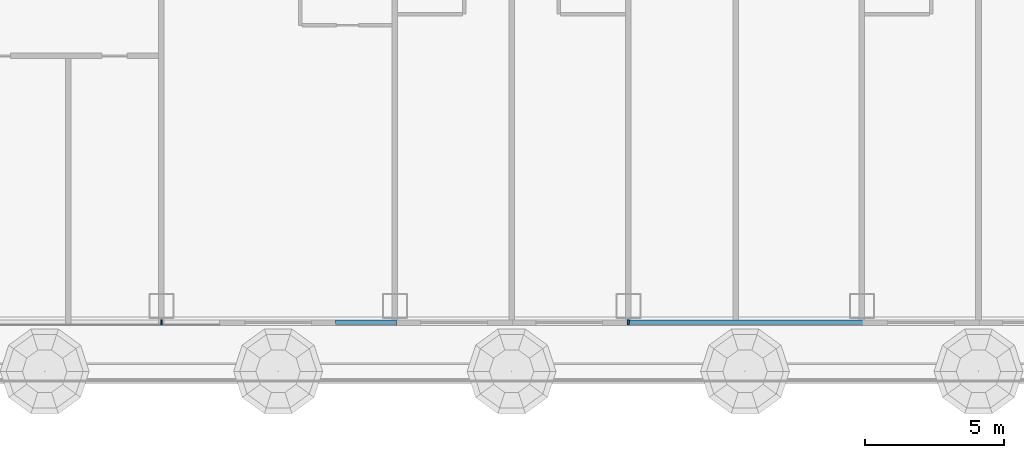
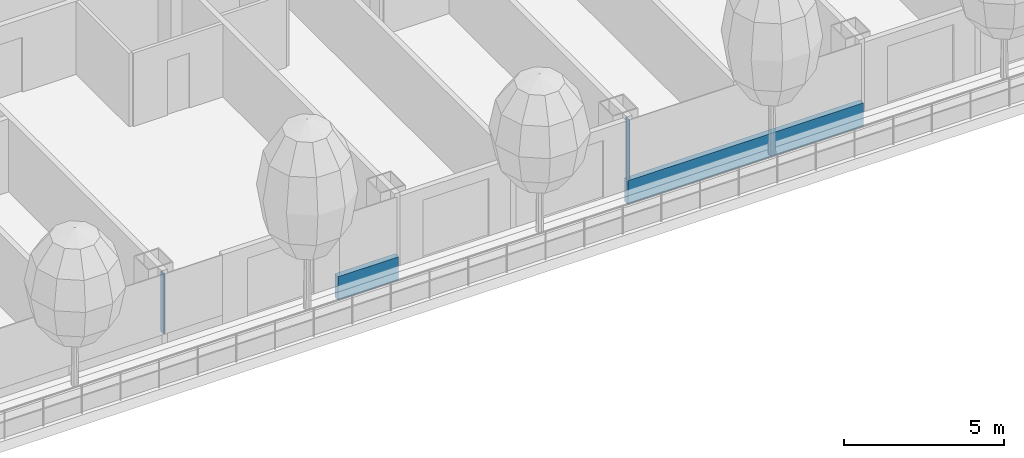
# One storey, part 5 of 36: 4 members, 1 element without a shape of its own.
"""IFC4 building model written with IfcOpenShell, lengths in metres."""

from ifc_helpers import new_model, si_unit, direction, frame, origin, origin_2d, place, context, subcontext, project, spatial, rectangle, extrude, material, layer, layer_set, material_profile, profile_set, type_object, element, aggregate, save


model = new_model("IFC4")

# Units and contexts
model_context = context("Model", 3, precision=1e-05, world=origin(), true_north=direction((0.0, 1.0)))
body_context = subcontext(model_context, "Body", "Model", "MODEL_VIEW")
ifc_project = project(units=[si_unit("LENGTHUNIT", "METRE"), si_unit("AREAUNIT", "SQUARE_METRE"), si_unit("VOLUMEUNIT", "CUBIC_METRE"), si_unit("PLANEANGLEUNIT", "RADIAN"), si_unit("MASSUNIT", "GRAM", prefix="KILO")], contexts=[model_context])

# Site, building, storey
site_placement = place(None, origin())
site = spatial("IfcSite", under=ifc_project, at=site_placement, CompositionType="ELEMENT")
building_placement = place(site_placement, origin())
building = spatial("IfcBuilding", under=site, at=building_placement, Name="Hakoniwa Tower and Hamabe Station Hall", CompositionType="ELEMENT")
storey_placement = place(building_placement, frame((0.0, 0.0, 26.199951171875)))
storey = spatial("IfcBuildingStorey", under=building, at=storey_placement, Name="L06", CompositionType="ELEMENT", Elevation=26.199951171875)

# Curtain wall, members
ifc_material_1 = material(Name="Dark low-e laminated glass", Category="glass")
ifc_layer = layer(ifc_material_1, 0.199951171875)
ifc_layer_set = layer_set([ifc_layer], Name="CW-1 UNITISED GUEST")
curtain_wall_type = type_object("IfcCurtainWallType", Name="CW-1 UNITISED GUEST", PredefinedType="NOTDEFINED", material=ifc_layer_set)
curtain_wall_placement = place(storey_placement, origin())
curtain_wall = element("IfcCurtainWall", 1, at=curtain_wall_placement, inside=storey, type_object=curtain_wall_type, Name="CW-1 curtain wall", PredefinedType="NOTDEFINED")
ifc_material_2 = material(Name="Aluminium 6063-T5 black anodised", Category="aluminium")
ifc_material_profile_1 = material_profile(ifc_material_2, rectangle(XDim=0.199951171875, YDim=0.89990234375, at=origin_2d()), Name="CW SLAB-EDGE BAND 900X200")
ifc_profile_set_1 = profile_set([ifc_material_profile_1], Name="Aluminium 6063-T5 black anodised")
member_type_1 = type_object("IfcMemberType", Name="CW SLAB-EDGE BAND 900X200", PredefinedType="USERDEFINED", material=ifc_profile_set_1)
member_1_placement = place(storey_placement, frame((-10.530029296875, -20.199951171875, -0.099853515625), z_axis=(1.0, 0.0, 0.0), x_axis=(0.0, 1.0, 0.0)))
member_1 = element("IfcMember", 2, at=member_1_placement, type_object=member_type_1, Name="CW-1 transom", ObjectType="TRANSOM", PredefinedType="USERDEFINED", context=body_context, shape_type="SweptSolid", body=[
    extrude(rectangle(XDim=0.199951171875, YDim=0.89990234375, at=origin_2d()), origin(), (0.0, 0.0, 1.0), 2.18994140625),
])
member_2_placement = place(storey_placement, frame((-0.06005859375, -20.199951171875, -0.099853515625), z_axis=(1.0, 0.0, 0.0), x_axis=(0.0, 1.0, 0.0)))
member_2 = element("IfcMember", 3, at=member_2_placement, type_object=member_type_1, Name="CW-1 transom", ObjectType="TRANSOM", PredefinedType="USERDEFINED", context=body_context, shape_type="SweptSolid", body=[
    extrude(rectangle(XDim=0.199951171875, YDim=0.89990234375, at=origin_2d()), origin(), (0.0, 0.0, 1.0), 8.52001953125),
])
ifc_material_3 = material(Name="Aluminium 6063-T5 black anodised", Category="aluminium")
ifc_material_profile_2 = material_profile(ifc_material_3, rectangle(XDim=0.06005859375, YDim=0.179931640625, at=origin_2d()), Name="CW-1 MULLION 60X180")
ifc_profile_set_2 = profile_set([ifc_material_profile_2], Name="Aluminium 6063-T5 black anodised")
member_type_2 = type_object("IfcMemberType", Name="CW-1 MULLION 60X180", PredefinedType="MULLION", material=ifc_profile_set_2)
member_3_placement = place(storey_placement, frame((-16.800048828125, -20.181884765625, 0.35009765625), z_axis=(0.0, 0.0, 1.0), x_axis=(1.0, 0.0, 0.0)))
member_3 = element("IfcMember", 4, at=member_3_placement, type_object=member_type_2, Name="CW-1 mullion", PredefinedType="MULLION", context=body_context, shape_type="SweptSolid", body=[
    extrude(rectangle(XDim=0.06005859375, YDim=0.179931640625, at=origin_2d()), origin(), (0.0, 0.0, 1.0), 2.300048828125),
])
member_4_placement = place(storey_placement, frame((0.0, -20.181884765625, 0.35009765625), z_axis=(0.0, 0.0, 1.0), x_axis=(1.0, 0.0, 0.0)))
member_4 = element("IfcMember", 5, at=member_4_placement, type_object=member_type_2, Name="CW-1 mullion", PredefinedType="MULLION", context=body_context, shape_type="SweptSolid", body=[
    extrude(rectangle(XDim=0.06005859375, YDim=0.179931640625, at=origin_2d()), origin(), (0.0, 0.0, 1.0), 2.300048828125),
])
aggregate(curtain_wall, [member_3, member_4, member_1, member_2])

save(model, "model.ifc")
